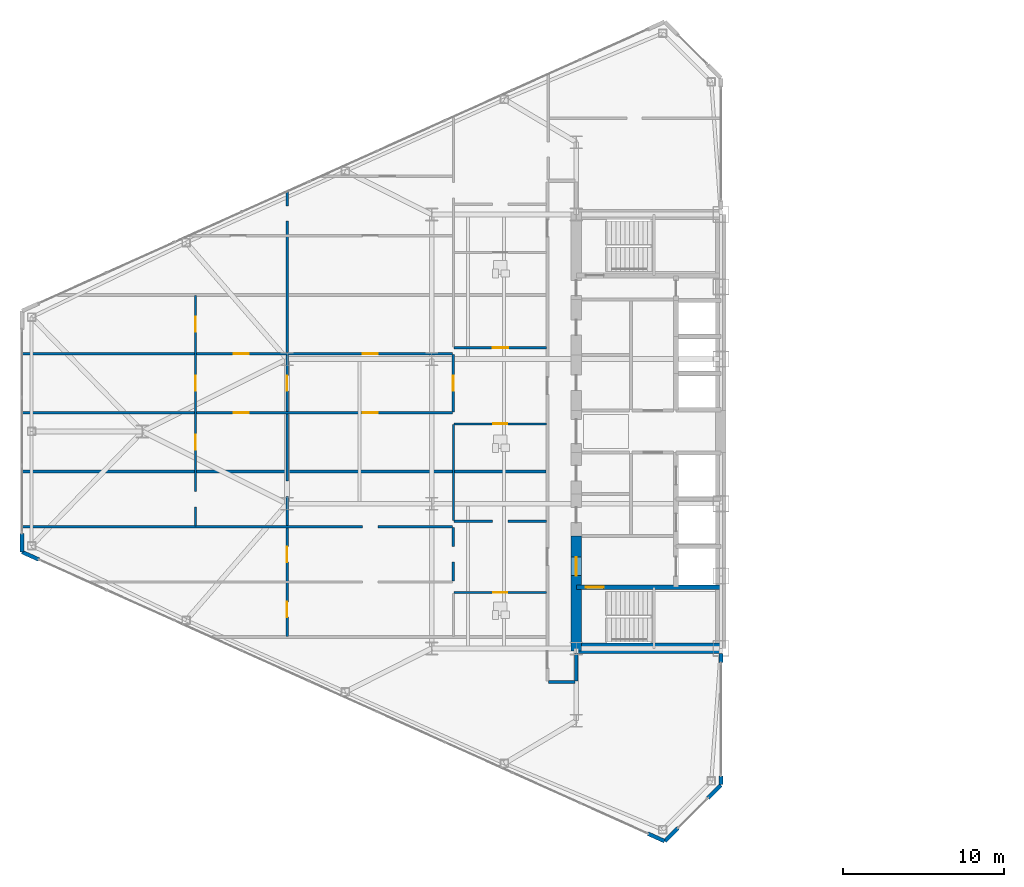
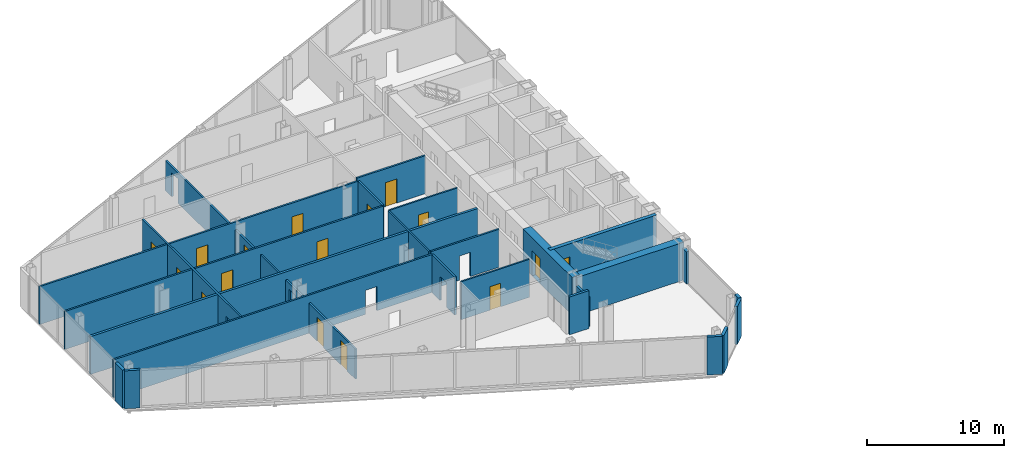
# One storey, part 19 of 27: 25 walls, 16 doors, 22 openings.
"""IFC4 building model written with IfcOpenShell, lengths in metres."""

import ifcopenshell
import ifcopenshell.guid

model = None  # the IFC model being written
_history = None  # IfcOwnerHistory: only IFC2X3 demands one
_inside = {}  # id of a spatial element -> (the spatial element, [elements in it])
_under = {}  # id of a project, library or spatial element -> (it, [spatial elements below it])
_declared = {}  # id of a project -> (the project, [libraries it declares])
_typed = {}  # id of a type object -> (the type object, [elements of that type])
_made_of = {}  # id of a material, layer set ... -> (it, [elements and type objects made of it])


def new_model(schema):
    """Start an empty IFC model of exactly this schema.

    Asked for "IFC4X3", IfcOpenShell would pick the latest addendum, in which some entities
    have other attributes; the version numbers below select the first issue.
    IFC2X3 requires an IfcOwnerHistory on every rooted entity: one is made here for all.
    """
    global model, _history
    if schema == "IFC4X3":
        model = ifcopenshell.file(schema_version=(4, 3, 0, 0))
    else:
        model = ifcopenshell.file(schema=schema)
    _inside.clear()
    _under.clear()
    _declared.clear()
    _typed.clear()
    _made_of.clear()
    _history = None
    if model.schema == "IFC2X3":
        org = make("IfcOrganization", Name="unknown")
        user = make(
            "IfcPersonAndOrganization",
            ThePerson=make("IfcPerson", FamilyName="unknown"),
            TheOrganization=org,
        )
        app = make(
            "IfcApplication",
            ApplicationDeveloper=org,
            Version="unknown",
            ApplicationFullName="unknown",
            ApplicationIdentifier="unknown",
        )
        _history = make(
            "IfcOwnerHistory",
            OwningUser=user,
            OwningApplication=app,
            ChangeAction="ADDED",
            CreationDate=0,
        )
    return model


def make(cls, **values):
    """One entity of the class cls with the attributes given. An attribute that is None is left unset."""
    return model.create_entity(
        cls, **{name: value for name, value in values.items() if value is not None}
    )


def rooted(cls, **values):
    """An entity with a GlobalId (a new one), such as an element, a storey or a relation."""
    return make(cls, GlobalId=ifcopenshell.guid.new(), OwnerHistory=_history, **values)


def si_unit(unit_type, name, prefix=None):
    """IfcSIUnit, for example si_unit("LENGTHUNIT", "METRE", prefix="MILLI")."""
    return make("IfcSIUnit", UnitType=unit_type, Prefix=prefix, Name=name)


def assignment(units):
    """IfcUnitAssignment: the units of a project."""
    return None if units is None else make("IfcUnitAssignment", Units=units)


def point(xyz):
    """IfcCartesianPoint."""
    return None if xyz is None else make("IfcCartesianPoint", Coordinates=xyz)


def direction(xyz):
    """IfcDirection."""
    return None if xyz is None else make("IfcDirection", DirectionRatios=xyz)


def frame(location, z_axis=None, x_axis=None):
    """IfcAxis2Placement3D, a coordinate frame: its origin and axes. An axis left out is left unset."""
    return make(
        "IfcAxis2Placement3D",
        Location=point(location),
        Axis=direction(z_axis),
        RefDirection=direction(x_axis),
    )


def frame_2d(location, x_axis=None):
    """IfcAxis2Placement2D, a coordinate frame in the plane: its origin and x axis."""
    return make(
        "IfcAxis2Placement2D", Location=point(location), RefDirection=direction(x_axis)
    )


def origin():
    """The frame at (0, 0, 0) with its axes left unset."""
    return frame((0.0, 0.0, 0.0))


def place(relative_to, where):
    """IfcLocalPlacement: puts the frame where relative to a parent placement (None: the world)."""
    return make(
        "IfcLocalPlacement", PlacementRelTo=relative_to, RelativePlacement=where
    )


def context(
    kind, dimensions, precision=None, world=None, true_north=None, identifier=None
):
    """IfcGeometricRepresentationContext, for example the 3D "Model" context."""
    return make(
        "IfcGeometricRepresentationContext",
        ContextIdentifier=identifier,
        ContextType=kind,
        CoordinateSpaceDimension=dimensions,
        Precision=precision,
        WorldCoordinateSystem=world,
        TrueNorth=true_north,
    )


def subcontext(parent, identifier, kind, view, scale=None):
    """IfcGeometricRepresentationSubContext, for example "Body" below "Model"."""
    return make(
        "IfcGeometricRepresentationSubContext",
        ContextIdentifier=identifier,
        ContextType=kind,
        ParentContext=parent,
        TargetScale=scale,
        TargetView=view,
    )


def project(units=None, contexts=None):
    """IfcProject with its units and contexts."""
    return rooted(
        "IfcProject",
        Name="project",
        RepresentationContexts=contexts,
        UnitsInContext=assignment(units),
    )


def spatial(cls, under=None, at=None, **own):
    """A site, building, storey or space (cls), placed at a placement, below another one or the project."""
    s = rooted(cls, ObjectPlacement=at, **own)
    if under is not None:
        _under.setdefault(under.id(), (under, []))[1].append(s)
    return s


def profile(cls, at=None, kind="AREA", **sizes):
    """A parametric profile (cls). Its sizes go by their IFC names, for example OverallWidth=200.0."""
    return make(cls, ProfileType=kind, Position=at, **sizes)


def rectangle(**sizes):
    """IfcRectangleProfileDef."""
    return profile("IfcRectangleProfileDef", **sizes)


def extrude(swept, where, along, depth):
    """IfcExtrudedAreaSolid: the profile swept, set in the frame where, extruded along a direction by depth."""
    return make(
        "IfcExtrudedAreaSolid",
        SweptArea=swept,
        Position=where,
        ExtrudedDirection=direction(along),
        Depth=depth,
    )


def shape(context_of_items, identifier, shape_type, items):
    """IfcShapeRepresentation: the items that make up one representation, for example the "Body"."""
    return make(
        "IfcShapeRepresentation",
        ContextOfItems=context_of_items,
        RepresentationIdentifier=identifier,
        RepresentationType=shape_type,
        Items=items,
    )


def source(mapping_origin, context_of_items, identifier, shape_type, items):
    """IfcRepresentationMap: a shape defined once, which mapped items show again and again."""
    return make(
        "IfcRepresentationMap",
        MappingOrigin=mapping_origin,
        MappedRepresentation=shape(context_of_items, identifier, shape_type, items),
    )


def transform(
    local_origin,
    x_axis=None,
    y_axis=None,
    z_axis=None,
    scale=None,
    scale2=None,
    scale3=None,
    uniform=True,
):
    """IfcCartesianTransformationOperator3D, or its non-uniform kind. x_axis, y_axis, z_axis: its Axis1, 2, 3."""
    if uniform:
        return make(
            "IfcCartesianTransformationOperator3D",
            Axis1=direction(x_axis),
            Axis2=direction(y_axis),
            LocalOrigin=point(local_origin),
            Scale=scale,
            Axis3=direction(z_axis),
        )
    return make(
        "IfcCartesianTransformationOperator3DnonUniform",
        Axis1=direction(x_axis),
        Axis2=direction(y_axis),
        LocalOrigin=point(local_origin),
        Scale=scale,
        Axis3=direction(z_axis),
        Scale2=scale2,
        Scale3=scale3,
    )


def mapped(mapping_source, mapping_target):
    """IfcMappedItem: shows the shape of a source again, moved by a transform."""
    return make(
        "IfcMappedItem", MappingSource=mapping_source, MappingTarget=mapping_target
    )


def material(Name=None, Category=None):
    """IfcMaterial."""
    return make("IfcMaterial", Name=Name, Category=Category)


def layer(
    of_material, thickness, ventilated=None, Name=None, Category=None, Priority=None
):
    """IfcMaterialLayer: one layer of a wall or slab, of a material (None: an air gap)."""
    return make(
        "IfcMaterialLayer",
        Material=of_material,
        LayerThickness=thickness,
        IsVentilated=ventilated,
        Name=Name,
        Category=Category,
        Priority=Priority,
    )


def layer_set(layers, Name=None):
    """IfcMaterialLayerSet."""
    return make("IfcMaterialLayerSet", MaterialLayers=layers, LayerSetName=Name)


def made_of(thing, what):
    """Note that an element or type object is made of a material, layer set ...; save() writes the relation."""
    if what is not None:
        _made_of.setdefault(what.id(), (what, []))[1].append(thing)
    return thing


def type_object(cls, material=None, **own):
    """A type object (cls), such as IfcWallType, which elements share."""
    return made_of(rooted(cls, **own), material)


def type_shapes(of_type, sources):
    """Give a type object the sources (RepresentationMaps) that its elements show as mapped items."""
    of_type.RepresentationMaps = sources


def element(
    cls,
    number,
    at=None,
    inside=None,
    cuts=None,
    type_object=None,
    material=None,
    context=None,
    identifier="Body",
    shape_type=None,
    held_by="IfcProductDefinitionShape",
    body=None,
    shapes=None,
    **own,
):
    """One element of the class cls, such as IfcWall. Its Tag is "e" and its number.

    at: its placement. inside: the storey or other place that contains it. cuts: it is an
    opening in that element (IfcRelVoidsElement). A single representation is given by context,
    identifier, shape_type and body (its items); several are given by shapes. held_by: the class
    of the entity that holds the representations. save() writes the other relations.
    """
    e = rooted(cls, Tag="e%d" % number, ObjectPlacement=at, **own)
    if body is not None:
        shapes = [shape(context, identifier, shape_type, body)]
    if shapes is not None:
        e.Representation = make(held_by, Representations=shapes)
    if inside is not None:
        _inside.setdefault(inside.id(), (inside, []))[1].append(e)
    if cuts is not None:
        rooted(
            "IfcRelVoidsElement", RelatingBuildingElement=cuts, RelatedOpeningElement=e
        )
    if type_object is not None:
        _typed.setdefault(type_object.id(), (type_object, []))[1].append(e)
    return made_of(e, material)


def fill(opening, filler):
    """IfcRelFillsElement: the door or window that sits in an opening."""
    return rooted(
        "IfcRelFillsElement",
        RelatingOpeningElement=opening,
        RelatedBuildingElement=filler,
    )


def aggregate(whole, parts):
    """IfcRelAggregates: a whole, such as a stair, and the parts it consists of."""
    return rooted("IfcRelAggregates", RelatingObject=whole, RelatedObjects=parts)


def save(model, path):
    """Write the relations noted so far, then the file.

    IfcRelAggregates (storeys below a building ...), IfcRelContainedInSpatialStructure (elements
    in a storey), IfcRelDefinesByType, IfcRelAssociatesMaterial and IfcRelDeclares: one each for
    every whole, place, type object, material and project.
    """
    for whole, parts in _under.values():
        aggregate(whole, parts)
    for where, things in _inside.values():
        rooted(
            "IfcRelContainedInSpatialStructure",
            RelatedElements=things,
            RelatingStructure=where,
        )
    for kind, things in _typed.values():
        rooted("IfcRelDefinesByType", RelatedObjects=things, RelatingType=kind)
    for what, things in _made_of.values():
        rooted("IfcRelAssociatesMaterial", RelatedObjects=things, RelatingMaterial=what)
    for by, libraries in _declared.values():
        rooted("IfcRelDeclares", RelatingContext=by, RelatedDefinitions=libraries)
    model.write(path)


model = new_model("IFC4")

# Units and contexts
model_context = context("Model", 3, precision=1e-05, world=origin(), true_north=direction((0.0, 1.0)))
body_context = subcontext(model_context, "Body", "Model", "MODEL_VIEW")
ifc_project = project(units=[si_unit("LENGTHUNIT", "METRE"), si_unit("AREAUNIT", "SQUARE_METRE"), si_unit("VOLUMEUNIT", "CUBIC_METRE"), si_unit("PLANEANGLEUNIT", "RADIAN"), si_unit("MASSUNIT", "GRAM", prefix="KILO")], contexts=[model_context])

# Site, building, storey
site_placement = place(None, origin())
site = spatial("IfcSite", under=ifc_project, at=site_placement, CompositionType="ELEMENT")
building_placement = place(site_placement, origin())
building = spatial("IfcBuilding", under=site, at=building_placement, Name="Seokmaru Belvedere", CompositionType="ELEMENT")
storey_placement = place(building_placement, frame((0.0, 0.0, 96.0)))
storey = spatial("IfcBuildingStorey", under=building, at=storey_placement, Name="L25", CompositionType="ELEMENT", Elevation=96.0)

# Wall, opening
ifc_material_1 = material(Name="Fire-Rated Gypsum Shaftwall")
ifc_layer_1 = layer(ifc_material_1, 0.14990234375)
ifc_layer_set_1 = layer_set([ifc_layer_1], Name="Fire-Rated Gypsum Shaftwall")
wall_type_1 = type_object("IfcWallType", Name="Apartment Fire-Acoustic Room Partition 150", PredefinedType="PARTITIONING", material=ifc_layer_set_1)
wall_1_placement = place(storey_placement, frame((-71.034912109375, -5.929931640625, 0.0), z_axis=(0.0, 0.0, 1.0), x_axis=(1.0, 0.0, 0.0)))
wall_1 = element("IfcWall", 1, at=wall_1_placement, inside=storey, type_object=wall_type_1, Name="L25 Interior Partition 009", PredefinedType="PARTITIONING", context=body_context, shape_type="SweptSolid", body=[
    extrude(rectangle(XDim=26.8349609375, YDim=0.14990234375, at=frame_2d((13.41748046875, 0.0))), origin(), (0.0, 0.0, 1.0), 3.3798828125),
])
opening_1_placement = place(wall_1_placement, frame((21.235107421875, 0.0, 0.0)))
element("IfcOpeningElement", 2, at=opening_1_placement, cuts=wall_1, Name="L25 Cased Opening 008", PredefinedType="OPENING", context=body_context, shape_type="SweptSolid", body=[
    extrude(rectangle(XDim=0.949951171875, YDim=2.14990234375, at=frame_2d((0.47509765625, 1.074951171875))), frame((0.0, 0.0849609375, 0.0), z_axis=(0.0, -1.0, 0.0), x_axis=(1.0, 0.0, 0.0)), (0.0, 0.0, 1.0), 0.169921875),
])

wall_2_placement = place(storey_placement, frame((-44.10009765625, -5.590087890625, 0.0), z_axis=(0.0, 0.0, 1.0), x_axis=(1.0, 0.0, 0.0)))
wall_2 = element("IfcWall", 3, at=wall_2_placement, inside=storey, type_object=wall_type_1, Name="L25 Interior Partition 010", PredefinedType="PARTITIONING", context=body_context, shape_type="SweptSolid", body=[
    extrude(rectangle(XDim=5.75, YDim=0.14990234375, at=frame_2d((2.875, 0.0))), origin(), (0.0, 0.0, 1.0), 3.3798828125),
])
opening_2_placement = place(wall_2_placement, frame((2.39990234375, 0.0, 0.0)))
element("IfcOpeningElement", 4, at=opening_2_placement, cuts=wall_2, Name="L25 Cased Opening 004", PredefinedType="OPENING", context=body_context, shape_type="SweptSolid", body=[
    extrude(rectangle(XDim=0.949951171875, YDim=2.14990234375, at=frame_2d((0.47509765625, 1.074951171875))), frame((0.0, 0.0849609375, 0.0), z_axis=(0.0, -1.0, 0.0), x_axis=(1.0, 0.0, 0.0)), (0.0, 0.0, 1.0), 0.169921875),
])

# Wall, openings, doors
wall_3_placement = place(storey_placement, frame((-71.034912109375, 1.169921875, 0.0), z_axis=(0.0, 0.0, 1.0), x_axis=(1.0, 0.0, 0.0)))
wall_3 = element("IfcWall", 5, at=wall_3_placement, inside=storey, type_object=wall_type_1, Name="L25 Interior Partition 015", PredefinedType="PARTITIONING", context=body_context, shape_type="SweptSolid", body=[
    extrude(rectangle(XDim=26.8349609375, YDim=0.14990234375, at=frame_2d((13.41748046875, 0.0))), origin(), (0.0, 0.0, 1.0), 3.3798828125),
])
opening_3_placement = place(wall_3_placement, frame((21.235107421875, 0.0, 0.0)))
opening_3 = element("IfcOpeningElement", 6, at=opening_3_placement, cuts=wall_3, Name="Opening D05", PredefinedType="OPENING", context=body_context, shape_type="SweptSolid", body=[
    extrude(rectangle(XDim=0.949951171875, YDim=2.14990234375, at=frame_2d((0.47509765625, 1.074951171875))), frame((0.0, 0.0849609375, 0.0), z_axis=(0.0, -1.0, 0.0), x_axis=(1.0, 0.0, 0.0)), (0.0, 0.0, 1.0), 0.169921875),
])
opening_4_placement = place(wall_3_placement, frame((13.2099609375, 0.0, 0.0)))
opening_4 = element("IfcOpeningElement", 7, at=opening_4_placement, cuts=wall_3, Name="Opening D05", PredefinedType="OPENING", context=body_context, shape_type="SweptSolid", body=[
    extrude(rectangle(XDim=0.949951171875, YDim=2.14990234375, at=frame_2d((0.47509765625, 1.074951171875))), frame((0.0, 0.0849609375, 0.0), z_axis=(0.0, -1.0, 0.0), x_axis=(1.0, 0.0, 0.0)), (0.0, 0.0, 1.0), 0.169921875),
])
ifc_material_2 = material(Name="Engineered White Oak Timber", Category="wood")
door_type_1 = type_object("IfcDoorType", Name="Apartment Interior Fire-Rated Oak Door 950x2150", OperationType="NOTDEFINED", PredefinedType="DOOR", material=ifc_material_2)
shared_shape_1 = source(origin(), body_context, "Body", "SweptSolid", [
    extrude(rectangle(XDim=0.949951171875, YDim=2.14990234375, at=frame_2d((0.47509765625, 1.074951171875))), frame((0.0, 0.02490234375, 0.0), z_axis=(0.0, -1.0, 0.0), x_axis=(1.0, 0.0, 0.0)), (0.0, 0.0, 1.0), 0.050048828125),
])
type_shapes(door_type_1, [shared_shape_1])
door_1_placement = place(opening_3_placement, origin())
door_1 = element("IfcDoor", 8, at=door_1_placement, inside=storey, type_object=door_type_1, Name="L25 Interior Door 017", OperationType="SINGLE_SWING_RIGHT", OverallHeight=2.14990234375, OverallWidth=0.949951171875, PredefinedType="DOOR", context=body_context, shape_type="MappedRepresentation", body=[
    mapped(shared_shape_1, transform((0.0, 0.0, 0.0), scale=1.0)),
])
fill(opening_3, door_1)
door_2_placement = place(opening_4_placement, origin())
door_2 = element("IfcDoor", 9, at=door_2_placement, inside=storey, type_object=door_type_1, Name="L25 Interior Door 019", OperationType="SINGLE_SWING_LEFT", OverallHeight=2.14990234375, OverallWidth=0.949951171875, PredefinedType="DOOR", context=body_context, shape_type="MappedRepresentation", body=[
    mapped(shared_shape_1, transform((0.0, 0.0, 0.0), scale=1.0)),
])
fill(opening_4, door_2)

wall_4_placement = place(storey_placement, frame((-71.034912109375, 4.830078125, 0.0), z_axis=(0.0, 0.0, 1.0), x_axis=(1.0, 0.0, 0.0)))
wall_4 = element("IfcWall", 10, at=wall_4_placement, inside=storey, type_object=wall_type_1, Name="L25 Interior Partition 017", PredefinedType="PARTITIONING", context=body_context, shape_type="SweptSolid", body=[
    extrude(rectangle(XDim=26.8349609375, YDim=0.14990234375, at=frame_2d((13.41748046875, 0.0))), origin(), (0.0, 0.0, 1.0), 3.3798828125),
])
opening_5_placement = place(wall_4_placement, frame((21.235107421875, 0.0, 0.0)))
opening_5 = element("IfcOpeningElement", 11, at=opening_5_placement, cuts=wall_4, Name="Opening D05", PredefinedType="OPENING", context=body_context, shape_type="SweptSolid", body=[
    extrude(rectangle(XDim=0.949951171875, YDim=2.14990234375, at=frame_2d((0.47509765625, 1.074951171875))), frame((0.0, 0.0849609375, 0.0), z_axis=(0.0, -1.0, 0.0), x_axis=(1.0, 0.0, 0.0)), (0.0, 0.0, 1.0), 0.169921875),
])
opening_6_placement = place(wall_4_placement, frame((13.2099609375, 0.0, 0.0)))
opening_6 = element("IfcOpeningElement", 12, at=opening_6_placement, cuts=wall_4, Name="Opening D05", PredefinedType="OPENING", context=body_context, shape_type="SweptSolid", body=[
    extrude(rectangle(XDim=0.949951171875, YDim=2.14990234375, at=frame_2d((0.47509765625, 1.074951171875))), frame((0.0, 0.0849609375, 0.0), z_axis=(0.0, -1.0, 0.0), x_axis=(1.0, 0.0, 0.0)), (0.0, 0.0, 1.0), 0.169921875),
])
door_3_placement = place(opening_5_placement, origin())
door_3 = element("IfcDoor", 13, at=door_3_placement, inside=storey, type_object=door_type_1, Name="L25 Interior Door 018", OperationType="SINGLE_SWING_LEFT", OverallHeight=2.14990234375, OverallWidth=0.949951171875, PredefinedType="DOOR", context=body_context, shape_type="MappedRepresentation", body=[
    mapped(shared_shape_1, transform((0.0, 0.0, 0.0), scale=1.0)),
])
fill(opening_5, door_3)
door_4_placement = place(opening_6_placement, origin())
door_4 = element("IfcDoor", 14, at=door_4_placement, inside=storey, type_object=door_type_1, Name="L25 Interior Door 022", OperationType="SINGLE_SWING_LEFT", OverallHeight=2.14990234375, OverallWidth=0.949951171875, PredefinedType="DOOR", context=body_context, shape_type="MappedRepresentation", body=[
    mapped(shared_shape_1, transform((0.0, 0.0, 0.0), scale=1.0)),
])
fill(opening_6, door_4)

# Wall, opening, door
wall_5_placement = place(storey_placement, frame((-44.10009765625, 5.199951171875, 0.0), z_axis=(0.0, 0.0, 1.0), x_axis=(1.0, 0.0, 0.0)))
wall_5 = element("IfcWall", 15, at=wall_5_placement, inside=storey, type_object=wall_type_1, Name="L25 Interior Partition 018", PredefinedType="PARTITIONING", context=body_context, shape_type="SweptSolid", body=[
    extrude(rectangle(XDim=5.75, YDim=0.14990234375, at=frame_2d((2.875, 0.0))), origin(), (0.0, 0.0, 1.0), 3.3798828125),
])
opening_7_placement = place(wall_5_placement, frame((2.39990234375, 0.0, 0.0)))
opening_7 = element("IfcOpeningElement", 16, at=opening_7_placement, cuts=wall_5, Name="Opening D05", PredefinedType="OPENING", context=body_context, shape_type="SweptSolid", body=[
    extrude(rectangle(XDim=0.949951171875, YDim=2.14990234375, at=frame_2d((0.47509765625, 1.074951171875))), frame((0.0, 0.0849609375, 0.0), z_axis=(0.0, -1.0, 0.0), x_axis=(1.0, 0.0, 0.0)), (0.0, 0.0, 1.0), 0.169921875),
])
door_5_placement = place(opening_7_placement, origin())
door_5 = element("IfcDoor", 17, at=door_5_placement, inside=storey, type_object=door_type_1, Name="L25 Interior Door 014", OperationType="SINGLE_SWING_LEFT", OverallHeight=2.14990234375, OverallWidth=0.949951171875, PredefinedType="DOOR", context=body_context, shape_type="MappedRepresentation", body=[
    mapped(shared_shape_1, transform((0.0, 0.0, 0.0), scale=1.0)),
])
fill(opening_7, door_5)

# Wall, openings, doors
wall_6_placement = place(storey_placement, frame((-60.199951171875, -5.883056640625, 0.0), z_axis=(0.0, 0.0, 1.0), x_axis=(0.0, 1.0, 0.0)))
wall_6 = element("IfcWall", 18, at=wall_6_placement, inside=storey, type_object=wall_type_1, Name="L25 Interior Partition 032", PredefinedType="PARTITIONING", context=body_context, shape_type="SweptSolid", body=[
    extrude(rectangle(XDim=14.3330078125, YDim=0.14990234375, at=frame_2d((7.16650390625, 0.0))), origin(), (0.0, 0.0, 1.0), 3.3798828125),
])
opening_8_placement = place(wall_6_placement, frame((1.19140625, 0.0, 0.0)))
element("IfcOpeningElement", 19, at=opening_8_placement, cuts=wall_6, Name="L25 Cased Opening 011", PredefinedType="OPENING", context=body_context, shape_type="SweptSolid", body=[
    extrude(rectangle(XDim=0.949951171875, YDim=2.14990234375, at=frame_2d((0.47509765625, 1.074951171875))), frame((0.0, 0.0849609375, 0.0), z_axis=(0.0, -1.0, 0.0), x_axis=(1.0, 0.0, 0.0)), (0.0, 0.0, 1.0), 0.169921875),
])
opening_9_placement = place(wall_6_placement, frame((4.741455078125, 0.0, 0.0)))
opening_9 = element("IfcOpeningElement", 20, at=opening_9_placement, cuts=wall_6, Name="Opening D05", PredefinedType="OPENING", context=body_context, shape_type="SweptSolid", body=[
    extrude(rectangle(XDim=0.949951171875, YDim=2.14990234375, at=frame_2d((0.47509765625, 1.074951171875))), frame((0.0, 0.0849609375, 0.0), z_axis=(0.0, -1.0, 0.0), x_axis=(1.0, 0.0, 0.0)), (0.0, 0.0, 1.0), 0.169921875),
])
opening_10_placement = place(wall_6_placement, frame((8.407958984375, 0.0, 0.0)))
opening_10 = element("IfcOpeningElement", 21, at=opening_10_placement, cuts=wall_6, Name="Opening D05", PredefinedType="OPENING", context=body_context, shape_type="SweptSolid", body=[
    extrude(rectangle(XDim=0.949951171875, YDim=2.14990234375, at=frame_2d((0.47509765625, 1.074951171875))), frame((0.0, 0.0849609375, 0.0), z_axis=(0.0, -1.0, 0.0), x_axis=(1.0, 0.0, 0.0)), (0.0, 0.0, 1.0), 0.169921875),
])
opening_11_placement = place(wall_6_placement, frame((12.07470703125, 0.0, 0.0)))
opening_11 = element("IfcOpeningElement", 22, at=opening_11_placement, cuts=wall_6, Name="Opening D05", PredefinedType="OPENING", context=body_context, shape_type="SweptSolid", body=[
    extrude(rectangle(XDim=0.949951171875, YDim=2.14990234375, at=frame_2d((0.47509765625, 1.074951171875))), frame((0.0, 0.0849609375, 0.0), z_axis=(0.0, -1.0, 0.0), x_axis=(1.0, 0.0, 0.0)), (0.0, 0.0, 1.0), 0.169921875),
])
door_6_placement = place(opening_9_placement, origin())
door_6 = element("IfcDoor", 23, at=door_6_placement, inside=storey, type_object=door_type_1, Name="L25 Interior Door 020", OperationType="SINGLE_SWING_RIGHT", OverallHeight=2.14990234375, OverallWidth=0.949951171875, PredefinedType="DOOR", context=body_context, shape_type="MappedRepresentation", body=[
    mapped(shared_shape_1, transform((0.0, 0.0, 0.0), scale=1.0)),
])
fill(opening_9, door_6)
door_7_placement = place(opening_10_placement, origin())
door_7 = element("IfcDoor", 24, at=door_7_placement, inside=storey, type_object=door_type_1, Name="L25 Interior Door 021", OperationType="SINGLE_SWING_RIGHT", OverallHeight=2.14990234375, OverallWidth=0.949951171875, PredefinedType="DOOR", context=body_context, shape_type="MappedRepresentation", body=[
    mapped(shared_shape_1, transform((0.0, 0.0, 0.0), scale=1.0)),
])
fill(opening_10, door_7)
door_8_placement = place(opening_11_placement, origin())
door_8 = element("IfcDoor", 25, at=door_8_placement, inside=storey, type_object=door_type_1, Name="L25 Interior Door 023", OperationType="SINGLE_SWING_RIGHT", OverallHeight=2.14990234375, OverallWidth=0.949951171875, PredefinedType="DOOR", context=body_context, shape_type="MappedRepresentation", body=[
    mapped(shared_shape_1, transform((0.0, 0.0, 0.0), scale=1.0)),
])
fill(opening_11, door_8)

wall_7_placement = place(storey_placement, frame((-54.5, -12.75, 0.0), z_axis=(0.0, 0.0, 1.0), x_axis=(0.0, 1.0, 0.0)))
wall_7 = element("IfcWall", 26, at=wall_7_placement, inside=storey, type_object=wall_type_1, Name="L25 Interior Partition 033", PredefinedType="PARTITIONING", context=body_context, shape_type="SweptSolid", body=[
    extrude(rectangle(XDim=27.7099609375, YDim=0.14990234375, at=frame_2d((13.85498046875, 0.0))), origin(), (0.0, 0.0, 1.0), 2.679931640625),
])
opening_12_placement = place(wall_7_placement, frame((4.625, 0.0, 0.0)))
opening_12 = element("IfcOpeningElement", 27, at=opening_12_placement, cuts=wall_7, Name="Opening D05", PredefinedType="OPENING", context=body_context, shape_type="SweptSolid", body=[
    extrude(rectangle(XDim=0.949951171875, YDim=2.14990234375, at=frame_2d((0.47509765625, 1.074951171875))), frame((0.0, 0.0849609375, 0.0), z_axis=(0.0, -1.0, 0.0), x_axis=(1.0, 0.0, 0.0)), (0.0, 0.0, 1.0), 0.169921875),
])
opening_13_placement = place(wall_7_placement, frame((1.191650390625, 0.0, 0.0)))
opening_13 = element("IfcOpeningElement", 28, at=opening_13_placement, cuts=wall_7, Name="Opening D05", PredefinedType="OPENING", context=body_context, shape_type="SweptSolid", body=[
    extrude(rectangle(XDim=0.949951171875, YDim=2.14990234375, at=frame_2d((0.47509765625, 1.074951171875))), frame((0.0, 0.0849609375, 0.0), z_axis=(0.0, -1.0, 0.0), x_axis=(1.0, 0.0, 0.0)), (0.0, 0.0, 1.0), 0.169921875),
])
opening_14_placement = place(wall_7_placement, frame((8.71728515625, 0.0, 0.0)))
element("IfcOpeningElement", 29, at=opening_14_placement, cuts=wall_7, Name="L25 Cased Opening 010", PredefinedType="OPENING", context=body_context, shape_type="SweptSolid", body=[
    extrude(rectangle(XDim=0.949951171875, YDim=2.14990234375, at=frame_2d((0.47509765625, 1.074951171875))), frame((0.0, 0.0849609375, 0.0), z_axis=(0.0, -1.0, 0.0), x_axis=(1.0, 0.0, 0.0)), (0.0, 0.0, 1.0), 0.169921875),
])
opening_15_placement = place(wall_7_placement, frame((15.27490234375, 0.0, 0.0)))
opening_15 = element("IfcOpeningElement", 30, at=opening_15_placement, cuts=wall_7, Name="Opening D05", PredefinedType="OPENING", context=body_context, shape_type="SweptSolid", body=[
    extrude(rectangle(XDim=0.949951171875, YDim=2.14990234375, at=frame_2d((0.47509765625, 1.074951171875))), frame((0.0, 0.0849609375, 0.0), z_axis=(0.0, -1.0, 0.0), x_axis=(1.0, 0.0, 0.0)), (0.0, 0.0, 1.0), 0.169921875),
])
opening_16_placement = place(wall_7_placement, frame((25.834716796875, 0.0, 0.0)))
element("IfcOpeningElement", 31, at=opening_16_placement, cuts=wall_7, Name="L25 Cased Opening 028", PredefinedType="OPENING", context=body_context, shape_type="SweptSolid", body=[
    extrude(rectangle(XDim=0.949951171875, YDim=2.14990234375, at=frame_2d((0.47509765625, 1.074951171875))), frame((0.0, 0.0849609375, 0.0), z_axis=(0.0, -1.0, 0.0), x_axis=(1.0, 0.0, 0.0)), (0.0, 0.0, 1.0), 0.169921875),
])
door_9_placement = place(opening_12_placement, origin())
door_9 = element("IfcDoor", 32, at=door_9_placement, inside=storey, type_object=door_type_1, Name="L25 Interior Door 006", OperationType="SINGLE_SWING_LEFT", OverallHeight=2.14990234375, OverallWidth=0.949951171875, PredefinedType="DOOR", context=body_context, shape_type="MappedRepresentation", body=[
    mapped(shared_shape_1, transform((0.0, 0.0, 0.0), scale=1.0)),
])
fill(opening_12, door_9)
door_10_placement = place(opening_13_placement, origin())
door_10 = element("IfcDoor", 33, at=door_10_placement, inside=storey, type_object=door_type_1, Name="L25 Interior Door 009", OperationType="SINGLE_SWING_LEFT", OverallHeight=2.14990234375, OverallWidth=0.949951171875, PredefinedType="DOOR", context=body_context, shape_type="MappedRepresentation", body=[
    mapped(shared_shape_1, transform((0.0, 0.0, 0.0), scale=1.0)),
])
fill(opening_13, door_10)
door_11_placement = place(opening_15_placement, origin())
door_11 = element("IfcDoor", 34, at=door_11_placement, inside=storey, type_object=door_type_1, Name="L25 Interior Door 016", OperationType="SINGLE_SWING_LEFT", OverallHeight=2.14990234375, OverallWidth=0.949951171875, PredefinedType="DOOR", context=body_context, shape_type="MappedRepresentation", body=[
    mapped(shared_shape_1, transform((0.0, 0.0, 0.0), scale=1.0)),
])
fill(opening_15, door_11)

# Wall, opening
wall_8_placement = place(storey_placement, frame((-44.14990234375, -9.31689453125, 0.0), z_axis=(0.0, 0.0, 1.0), x_axis=(0.0, 1.0, 0.0)))
wall_8 = element("IfcWall", 35, at=wall_8_placement, inside=storey, type_object=wall_type_1, Name="L25 Interior Partition 035", PredefinedType="PARTITIONING", context=body_context, shape_type="SweptSolid", body=[
    extrude(rectangle(XDim=3.333984375, YDim=0.14990234375, at=frame_2d((1.6669921875, 0.0))), origin(), (0.0, 0.0, 1.0), 3.3798828125),
])
opening_17_placement = place(wall_8_placement, frame((1.19189453125, 0.0, 0.0)))
element("IfcOpeningElement", 36, at=opening_17_placement, cuts=wall_8, Name="L25 Cased Opening 005", PredefinedType="OPENING", context=body_context, shape_type="SweptSolid", body=[
    extrude(rectangle(XDim=0.949951171875, YDim=2.14990234375, at=frame_2d((0.47509765625, 1.074951171875))), frame((0.0, 0.0849609375, 0.0), z_axis=(0.0, -1.0, 0.0), x_axis=(1.0, 0.0, 0.0)), (0.0, 0.0, 1.0), 0.169921875),
])

# Wall, opening, door
wall_9_placement = place(storey_placement, frame((-44.14990234375, 1.217041015625, 0.0), z_axis=(0.0, 0.0, 1.0), x_axis=(0.0, 1.0, 0.0)))
wall_9 = element("IfcWall", 37, at=wall_9_placement, inside=storey, type_object=wall_type_1, Name="L25 Interior Partition 037", PredefinedType="PARTITIONING", context=body_context, shape_type="SweptSolid", body=[
    extrude(rectangle(XDim=3.56591796875, YDim=0.14990234375, at=frame_2d((1.782958984375, 0.0))), origin(), (0.0, 0.0, 1.0), 3.3798828125),
])
opening_18_placement = place(wall_9_placement, frame((1.30810546875, 0.0, 0.0)))
opening_18 = element("IfcOpeningElement", 38, at=opening_18_placement, cuts=wall_9, Name="Opening D05", PredefinedType="OPENING", context=body_context, shape_type="SweptSolid", body=[
    extrude(rectangle(XDim=0.949951171875, YDim=2.14990234375, at=frame_2d((0.47509765625, 1.074951171875))), frame((0.0, 0.0849609375, 0.0), z_axis=(0.0, -1.0, 0.0), x_axis=(1.0, 0.0, 0.0)), (0.0, 0.0, 1.0), 0.169921875),
])
door_12_placement = place(opening_18_placement, origin())
door_12 = element("IfcDoor", 39, at=door_12_placement, inside=storey, type_object=door_type_1, Name="L25 Interior Door 015", OperationType="SINGLE_SWING_RIGHT", OverallHeight=2.14990234375, OverallWidth=0.949951171875, PredefinedType="DOOR", context=body_context, shape_type="MappedRepresentation", body=[
    mapped(shared_shape_1, transform((0.0, 0.0, 0.0), scale=1.0)),
])
fill(opening_18, door_12)

# Walls
ifc_layer_2 = layer(ifc_material_1, 0.199951171875)
ifc_layer_set_2 = layer_set([ifc_layer_2], Name="Fire-Rated Gypsum Shaftwall")
wall_type_2 = type_object("IfcWallType", Name="Inter-Tenancy Fire Compartment Partition 200", PredefinedType="PARTITIONING", material=ifc_layer_set_2)
wall_10_placement = place(storey_placement, frame((-38.215087890625, -15.60009765625, 0.0), z_axis=(0.0, 0.0, 1.0), x_axis=(1.0, 0.0, 0.0)))
element("IfcWall", 40, at=wall_10_placement, inside=storey, type_object=wall_type_2, Name="L25 Interior Partition 001", PredefinedType="PARTITIONING", context=body_context, shape_type="SweptSolid", body=[
    extrude(rectangle(XDim=1.630126953125, YDim=0.199951171875, at=frame_2d((0.81494140625, 0.0))), origin(), (0.0, 0.0, 1.0), 3.3798828125),
])
wall_11_placement = place(storey_placement, frame((-71.0048828125, -2.5, 0.0), z_axis=(0.0, 0.0, 1.0), x_axis=(1.0, 0.0, 0.0)))
element("IfcWall", 41, at=wall_11_placement, inside=storey, type_object=wall_type_2, Name="L25 Interior Partition 011", PredefinedType="PARTITIONING", context=body_context, shape_type="SweptSolid", body=[
    extrude(rectangle(XDim=32.625, YDim=0.199951171875, at=frame_2d((16.3125, 0.0))), origin(), (0.0, 0.0, 1.0), 3.3798828125),
])
wall_12_placement = place(storey_placement, frame((-36.5, -15.514892578125, 0.0), z_axis=(0.0, 0.0, 1.0), x_axis=(0.0, 1.0, 0.0)))
element("IfcWall", 42, at=wall_12_placement, inside=storey, type_object=wall_type_2, Name="L25 Interior Partition 041", PredefinedType="PARTITIONING", context=body_context, shape_type="SweptSolid", body=[
    extrude(rectangle(XDim=1.684814453125, YDim=0.199951171875, at=frame_2d((0.84228515625, 0.0))), origin(), (0.0, 0.0, 1.0), 2.679931640625),
])

# Wall, opening, door
ifc_material_3 = material(Name="Concrete C50 (50 MPa)", Category="concrete")
ifc_layer_3 = layer(ifc_material_3, 0.300048828125)
ifc_layer_set_3 = layer_set([ifc_layer_3], Name="Concrete C50 (50 MPa)")
wall_type_3 = type_object("IfcWallType", Name="Internal Core Stair and Hoistway Wall 300", PredefinedType="SHEAR", material=ifc_layer_set_3)
wall_13_placement = place(storey_placement, frame((-36.5, -9.699951171875, 0.0), z_axis=(0.0, 0.0, 1.0), x_axis=(1.0, 0.0, 0.0)))
wall_13 = element("IfcWall", 43, at=wall_13_placement, inside=storey, type_object=wall_type_3, Name="L25 West Stair ST-1 Enclosure Wall", PredefinedType="SHEAR", context=body_context, shape_type="SweptSolid", body=[
    extrude(rectangle(XDim=9.0, YDim=0.300048828125, at=frame_2d((4.5, 0.0))), origin(), (0.0, 0.0, 1.0), 3.3798828125),
])
opening_19_placement = place(wall_13_placement, frame((0.60009765625, 0.0, 0.0)))
opening_19 = element("IfcOpeningElement", 44, at=opening_19_placement, cuts=wall_13, Name="Opening D01", PredefinedType="OPENING", context=body_context, shape_type="SweptSolid", body=[
    extrude(rectangle(XDim=1.10009765625, YDim=2.199951171875, at=frame_2d((0.550048828125, 1.10009765625))), frame((0.0, 0.16015625, 0.0), z_axis=(0.0, -1.0, 0.0), x_axis=(1.0, 0.0, 0.0)), (0.0, 0.0, 1.0), 0.320068359375),
])
ifc_material_4 = material(Name="Fire-Rated Steel Leaf", Category="steel")
door_type_2 = type_object("IfcDoorType", Name="Special Escape Stair Smokeproof Fire Door 1100x2200", OperationType="NOTDEFINED", PredefinedType="DOOR", material=ifc_material_4)
shared_shape_2 = source(origin(), body_context, "Body", "SweptSolid", [
    extrude(rectangle(XDim=1.10009765625, YDim=2.199951171875, at=frame_2d((0.550048828125, 1.10009765625))), frame((0.0, 0.02490234375, 0.0), z_axis=(0.0, -1.0, 0.0), x_axis=(1.0, 0.0, 0.0)), (0.0, 0.0, 1.0), 0.050048828125),
])
type_shapes(door_type_2, [shared_shape_2])
door_13_placement = place(opening_19_placement, frame((1.10009765625, 0.0, 0.0), z_axis=(0.0, 0.0, 1.0), x_axis=(-1.0, 0.0, 0.0)))
door_13 = element("IfcDoor", 45, at=door_13_placement, inside=storey, type_object=door_type_2, Name="L25 West Special Escape Stair ST-1 Door", OperationType="SINGLE_SWING_LEFT", OverallHeight=2.199951171875, OverallWidth=1.10009765625, PredefinedType="DOOR", context=body_context, shape_type="MappedRepresentation", body=[
    mapped(shared_shape_2, transform((0.0, 0.0, 0.0), scale=1.0)),
])
fill(opening_19, door_13)

# Wall
ifc_material_5 = material(Name="Concrete C60 (60 MPa)", Category="concrete")
ifc_layer_4 = layer(ifc_material_5, 0.64990234375)
ifc_layer_set_4 = layer_set([ifc_layer_4], Name="Concrete C60 (60 MPa)")
wall_type_4 = type_object("IfcWallType", Name="Mid-Low Reinforced Concrete Core Wall 650", PredefinedType="SHEAR", material=ifc_layer_set_4)
wall_14_placement = place(storey_placement, frame((-36.5, -13.5, 0.0), z_axis=(0.0, 0.0, 1.0), x_axis=(1.0, 0.0, 0.0)))
element("IfcWall", 46, at=wall_14_placement, inside=storey, type_object=wall_type_4, Name="L25 West South Core Wall", PredefinedType="SHEAR", context=body_context, shape_type="SweptSolid", body=[
    extrude(rectangle(XDim=9.0, YDim=0.64990234375, at=frame_2d((4.5, 0.0))), origin(), (0.0, 0.0, 1.0), 3.3798828125),
])

# Wall, opening, door
wall_15_placement = place(storey_placement, frame((-36.5, -13.64990234375, 0.0), z_axis=(0.0, 0.0, 1.0), x_axis=(0.0, 1.0, 0.0)))
wall_15 = element("IfcWall", 47, at=wall_15_placement, inside=storey, type_object=wall_type_4, Name="L25 West West Core Wall FF", PredefinedType="SHEAR", context=body_context, shape_type="SweptSolid", body=[
    extrude(rectangle(XDim=7.14990234375, YDim=0.64990234375, at=frame_2d((3.574951171875, 0.0))), origin(), (0.0, 0.0, 1.0), 3.3798828125),
])
opening_20_placement = place(wall_15_placement, frame((4.675048828125, 0.0, 0.0)))
opening_20 = element("IfcOpeningElement", 48, at=opening_20_placement, cuts=wall_15, Name="Opening D02", PredefinedType="OPENING", context=body_context, shape_type="SweptSolid", body=[
    extrude(rectangle(XDim=1.14990234375, YDim=2.199951171875, at=frame_2d((0.574951171875, 1.10009765625))), frame((0.0, 0.3349609375, 0.0), z_axis=(0.0, -1.0, 0.0), x_axis=(1.0, 0.0, 0.0)), (0.0, 0.0, 1.0), 0.669921875),
])
door_type_3 = type_object("IfcDoorType", Name="Lobby and Vestibule Fire Door 1150x2200", OperationType="NOTDEFINED", PredefinedType="DOOR", material=ifc_material_4)
shared_shape_3 = source(origin(), body_context, "Body", "SweptSolid", [
    extrude(rectangle(XDim=1.14990234375, YDim=2.199951171875, at=frame_2d((0.574951171875, 1.10009765625))), frame((0.0, 0.02490234375, 0.0), z_axis=(0.0, -1.0, 0.0), x_axis=(1.0, 0.0, 0.0)), (0.0, 0.0, 1.0), 0.050048828125),
])
type_shapes(door_type_3, [shared_shape_3])
door_14_placement = place(opening_20_placement, frame((1.14990234375, 0.0, 0.0), z_axis=(0.0, 0.0, 1.0), x_axis=(-1.0, 0.0, 0.0)))
door_14 = element("IfcDoor", 49, at=door_14_placement, inside=storey, type_object=door_type_3, Name="L25 West Firefighting Lobby Door", OperationType="SINGLE_SWING_LEFT", OverallHeight=2.199951171875, OverallWidth=1.14990234375, PredefinedType="DOOR", context=body_context, shape_type="MappedRepresentation", body=[
    mapped(shared_shape_3, transform((0.0, 0.0, 0.0), scale=1.0)),
])
fill(opening_20, door_14)

ifc_layer_5 = layer(ifc_material_1, 0.1298828125)
ifc_layer_set_5 = layer_set([ifc_layer_5], Name="Fire-Rated Gypsum Shaftwall")
wall_type_5 = type_object("IfcWallType", Name="Moisture-Resistant Fire-Rated Bathroom Partition 130", PredefinedType="PARTITIONING", material=ifc_layer_set_5)
wall_16_placement = place(storey_placement, frame((-44.10009765625, -10.02001953125, 0.0), z_axis=(0.0, 0.0, 1.0), x_axis=(1.0, 0.0, 0.0)))
wall_16 = element("IfcWall", 50, at=wall_16_placement, inside=storey, type_object=wall_type_5, Name="L25 Interior Partition 005", PredefinedType="PARTITIONING", context=body_context, shape_type="SweptSolid", body=[
    extrude(rectangle(XDim=5.75, YDim=0.1298828125, at=frame_2d((2.875, 0.0))), origin(), (0.0, 0.0, 1.0), 3.3798828125),
])
opening_21_placement = place(wall_16_placement, frame((2.43505859375, 0.0, 0.0)))
opening_21 = element("IfcOpeningElement", 51, at=opening_21_placement, cuts=wall_16, Name="Opening D06", PredefinedType="OPENING", context=body_context, shape_type="SweptSolid", body=[
    extrude(rectangle(XDim=0.8798828125, YDim=2.10009765625, at=frame_2d((0.43994140625, 1.050048828125))), frame((0.0, 0.074951171875, 0.0), z_axis=(0.0, -1.0, 0.0), x_axis=(1.0, 0.0, 0.0)), (0.0, 0.0, 1.0), 0.14990234375),
])
door_type_4 = type_object("IfcDoorType", Name="Bathroom and Restroom Fire-Rated Door 880x2100", OperationType="NOTDEFINED", PredefinedType="DOOR", material=ifc_material_2)
shared_shape_4 = source(origin(), body_context, "Body", "SweptSolid", [
    extrude(rectangle(XDim=0.8798828125, YDim=2.10009765625, at=frame_2d((0.43994140625, 1.050048828125))), frame((0.0, 0.02490234375, 0.0), z_axis=(0.0, -1.0, 0.0), x_axis=(1.0, 0.0, 0.0)), (0.0, 0.0, 1.0), 0.050048828125),
])
type_shapes(door_type_4, [shared_shape_4])
door_15_placement = place(opening_21_placement, origin())
door_15 = element("IfcDoor", 52, at=door_15_placement, inside=storey, type_object=door_type_4, Name="L25 Interior Door 003", OperationType="SINGLE_SWING_LEFT", OverallHeight=2.10009765625, OverallWidth=0.8798828125, PredefinedType="DOOR", context=body_context, shape_type="MappedRepresentation", body=[
    mapped(shared_shape_4, transform((0.0, 0.0, 0.0), scale=1.0)),
])
fill(opening_21, door_15)

wall_17_placement = place(storey_placement, frame((-44.10009765625, 0.469970703125, 0.0), z_axis=(0.0, 0.0, 1.0), x_axis=(1.0, 0.0, 0.0)))
wall_17 = element("IfcWall", 53, at=wall_17_placement, inside=storey, type_object=wall_type_5, Name="L25 Interior Partition 014", PredefinedType="PARTITIONING", context=body_context, shape_type="SweptSolid", body=[
    extrude(rectangle(XDim=5.75, YDim=0.1298828125, at=frame_2d((2.875, 0.0))), origin(), (0.0, 0.0, 1.0), 3.3798828125),
])
opening_22_placement = place(wall_17_placement, frame((2.43505859375, 0.0, 0.0)))
opening_22 = element("IfcOpeningElement", 54, at=opening_22_placement, cuts=wall_17, Name="Opening D06", PredefinedType="OPENING", context=body_context, shape_type="SweptSolid", body=[
    extrude(rectangle(XDim=0.8798828125, YDim=2.10009765625, at=frame_2d((0.43994140625, 1.050048828125))), frame((0.0, 0.074951171875, 0.0), z_axis=(0.0, -1.0, 0.0), x_axis=(1.0, 0.0, 0.0)), (0.0, 0.0, 1.0), 0.14990234375),
])
door_16_placement = place(opening_22_placement, origin())
door_16 = element("IfcDoor", 55, at=door_16_placement, inside=storey, type_object=door_type_4, Name="L25 Interior Door 013", OperationType="SINGLE_SWING_LEFT", OverallHeight=2.10009765625, OverallWidth=0.8798828125, PredefinedType="DOOR", context=body_context, shape_type="MappedRepresentation", body=[
    mapped(shared_shape_4, transform((0.0, 0.0, 0.0), scale=1.0)),
])
fill(opening_22, door_16)

# Walls
wall_18_placement = place(storey_placement, frame((-44.14990234375, -5.5380859375, 0.0), z_axis=(0.0, 0.0, 1.0), x_axis=(0.0, 1.0, 0.0)))
element("IfcWall", 56, at=wall_18_placement, inside=storey, type_object=wall_type_5, Name="L25 Interior Partition 036", PredefinedType="PARTITIONING", context=body_context, shape_type="SweptSolid", body=[
    extrude(rectangle(XDim=5.9560546875, YDim=0.1298828125, at=frame_2d((2.97802734375, 0.0))), origin(), (0.0, 0.0, 1.0), 3.3798828125),
])
ifc_material_6 = material(Name="Anodised Bronze Aluminium", Category="aluminium")
ifc_layer_6 = layer(ifc_material_6, 0.239990234375)
ifc_layer_set_6 = layer_set([ifc_layer_6], Name="Anodised Bronze Aluminium")
wall_type_6 = type_object("IfcWallType", Name="Tower Corner Spandrel Closure Wall 240", PredefinedType="SOLIDWALL", material=ifc_layer_set_6)
wall_19_placement = place(storey_placement, frame((-27.5, -21.97998046875, 0.0), z_axis=(0.0, 0.0, 1.0), x_axis=(0.0, 1.0, 0.0)))
element("IfcWall", 57, at=wall_19_placement, inside=storey, type_object=wall_type_6, Name="L25 W Spine Closure Pier 1A", PredefinedType="SOLIDWALL", context=body_context, shape_type="SweptSolid", body=[
    extrude(rectangle(XDim=0.550048828125, YDim=0.239990234375, at=frame_2d((0.27490234375, 0.0))), origin(), (0.0, 0.0, 1.0), 3.3798828125),
])
wall_20_placement = place(storey_placement, frame((-27.5, -14.3798828125, 0.0), z_axis=(0.0, 0.0, 1.0), x_axis=(0.0, 1.0, 0.0)))
element("IfcWall", 58, at=wall_20_placement, inside=storey, type_object=wall_type_6, Name="L25 W Spine Closure Pier 1B", PredefinedType="SOLIDWALL", context=body_context, shape_type="SweptSolid", body=[
    extrude(rectangle(XDim=0.5498046875, YDim=0.239990234375, at=frame_2d((0.27490234375, 0.0))), origin(), (0.0, 0.0, 1.0), 2.8798828125),
])
for number, where, z_axis, x_axis, name in (
    (59, (-71.0, -6.35009765625, 0.0), (0.0, 0.0, 1.0), (0.0, -1.0, 0.0), "L25 W Corner Closure Pier 4B"),
    (60, (-70.990966796875, -7.504150390625, 0.0), (0.0, 0.0, 1.0), (0.911929519623, -0.410346866979, 0.0), "L25 W Corner Closure Pier 5A"),
    (61, (-32.048583984375, -25.028076171875, 0.0), (0.0, 0.0, 1.0), (0.911929519623, -0.410346866979, 0.0), "L25 W Corner Closure Pier 5B"),
):
    element("IfcWall", number, at=place(storey_placement, frame(where, z_axis=z_axis, x_axis=x_axis)), inside=storey, type_object=wall_type_6, Name=name, PredefinedType="SOLIDWALL", context=body_context, shape_type="SweptSolid", body=[
        extrude(rectangle(XDim=1.139892578125, YDim=0.239990234375, at=frame_2d((0.56982421875, 0.0))), origin(), (0.0, 0.0, 1.0), 3.3798828125),
    ])
for number, where, z_axis, x_axis, name in (
    (62, (-30.992919921875, -25.492919921875, 0.0), (0.0, 0.0, 1.0), (0.707106781187, 0.707106781187, 0.0), "L25 W Corner Closure Pier 6A"),
    (63, (-28.313232421875, -22.813232421875, 0.0), (0.0, 0.0, 1.0), (0.707106781187, 0.707106781187, 0.0), "L25 W Corner Closure Pier 6B"),
):
    element("IfcWall", number, at=place(storey_placement, frame(where, z_axis=z_axis, x_axis=x_axis)), inside=storey, type_object=wall_type_6, Name=name, PredefinedType="SOLIDWALL", context=body_context, shape_type="SweptSolid", body=[
        extrude(rectangle(XDim=1.14013671875, YDim=0.239990234375, at=frame_2d((0.570068359375, 0.0))), origin(), (0.0, 0.0, 1.0), 3.3798828125),
    ])

save(model, "model.ifc")
